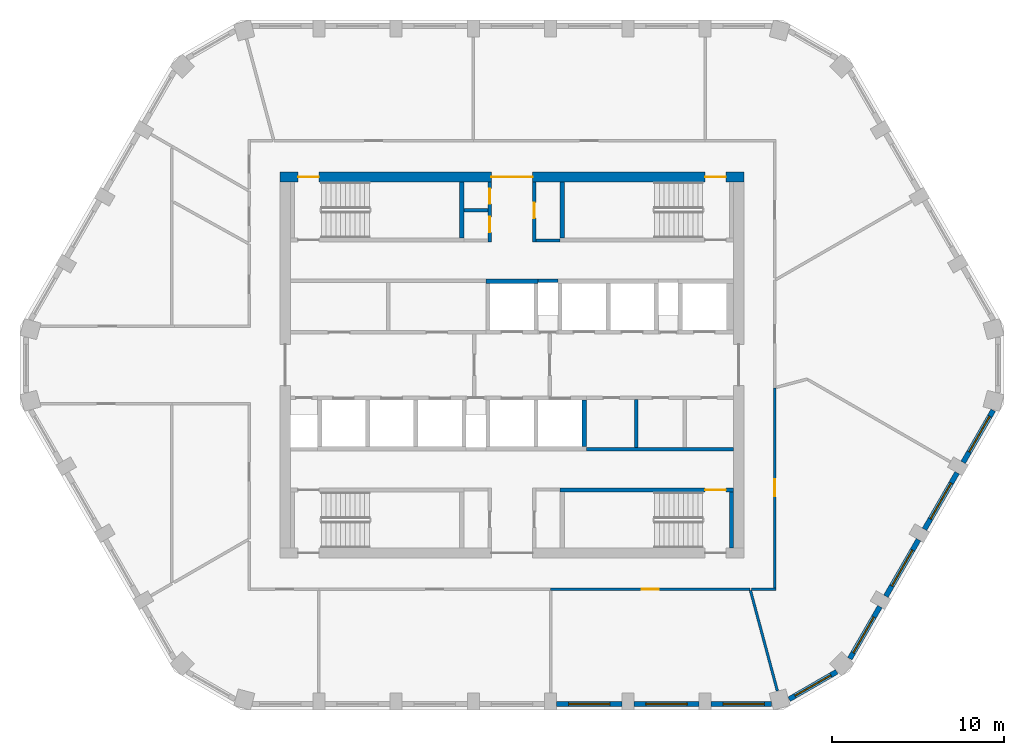
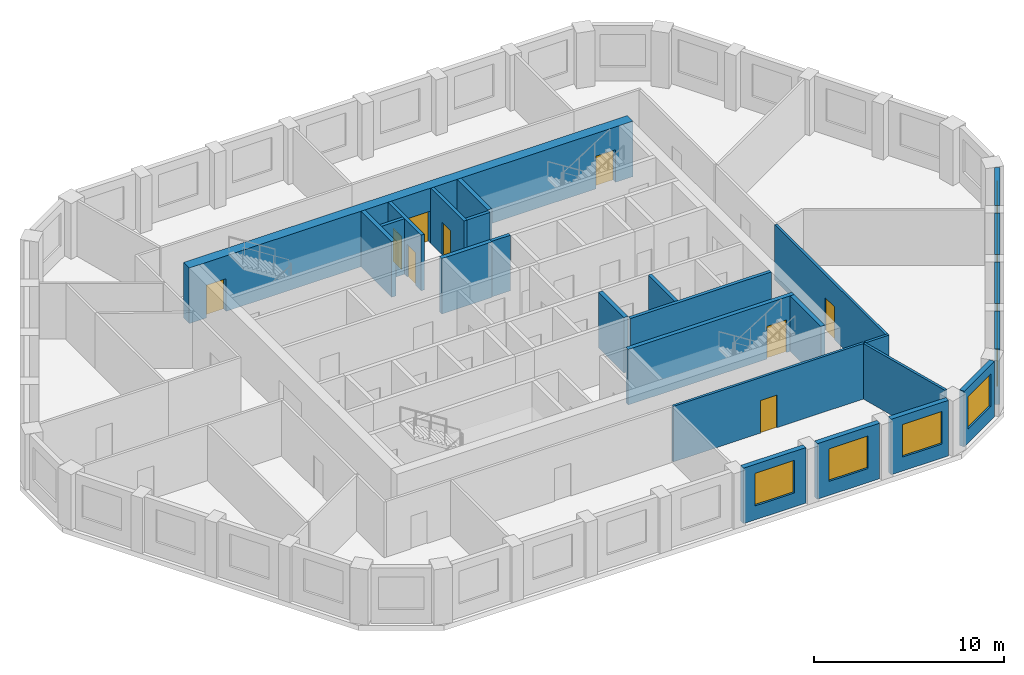
# One storey, part 4 of 7: 26 walls, 9 doors, 8 windows, 17 openings.
"""IFC4 building model written with IfcOpenShell, lengths in metres."""

from ifc_helpers import new_model, si_unit, direction, frame, frame_2d, origin, place, context, subcontext, project, spatial, polyline, rectangle, outline, extrude, material, layer, layer_set, type_object, element, fill, save


model = new_model("IFC4")

# Units and contexts
model_context = context("Model", 3, precision=1e-05, world=origin(), true_north=direction((0.0, 1.0)))
body_context = subcontext(model_context, "Body", "Model", "MODEL_VIEW")
ifc_project = project(units=[si_unit("LENGTHUNIT", "METRE"), si_unit("AREAUNIT", "SQUARE_METRE"), si_unit("VOLUMEUNIT", "CUBIC_METRE"), si_unit("PLANEANGLEUNIT", "RADIAN"), si_unit("MASSUNIT", "GRAM", prefix="KILO")], contexts=[model_context])

# Site, building, storey
site_placement = place(None, origin())
site = spatial("IfcSite", under=ifc_project, at=site_placement, CompositionType="ELEMENT")
building_placement = place(site_placement, origin())
building = spatial("IfcBuilding", under=site, at=building_placement, Name="Dhurran Vertical Campus", CompositionType="ELEMENT")
storey_placement = place(building_placement, frame((0.0, 0.0, 262.5)))
storey = spatial("IfcBuildingStorey", under=building, at=storey_placement, Name="L65", CompositionType="ELEMENT", Elevation=262.5)

# Wall, opening, window
ifc_material_1 = material(Name="Precast concrete C50/60", Category="concrete")
ifc_layer_1 = layer(ifc_material_1, 0.300048828125)
ifc_layer_set_1 = layer_set([ifc_layer_1], Name="Precast concrete C50/60")
wall_type_1 = type_object("IfcWallType", Name="Precast spandrel wall 300", PredefinedType="SOLIDWALL", material=ifc_layer_set_1)
wall_1_placement = place(storey_placement, frame((2.6005859375, -19.738525390625, 0.0), z_axis=(0.0, 0.0, 1.0), x_axis=(1.0, 0.0, 0.0)))
wall_1 = element("IfcWall", 1, at=wall_1_placement, inside=storey, type_object=wall_type_1, Name="EW1 L65.04", PredefinedType="SOLIDWALL", context=body_context, shape_type="SweptSolid", body=[
    extrude(rectangle(XDim=3.798828125, YDim=0.300048828125, at=frame_2d((1.8994140625, 0.0))), origin(), (0.0, 0.0, 1.0), 3.574951171875),
])
opening_1_placement = place(wall_1_placement, frame((0.699462890625, 0.0, 0.89990234375)))
opening_1 = element("IfcOpeningElement", 2, at=opening_1_placement, cuts=wall_1, Name="Opening WT1", PredefinedType="OPENING", context=body_context, shape_type="SweptSolid", body=[
    extrude(rectangle(XDim=2.39990234375, YDim=2.10009765625, at=frame_2d((1.199951171875, 1.050048828125))), frame((0.0, 0.159912109375, 0.0), z_axis=(0.0, -1.0, 0.0), x_axis=(1.0, 0.0, 0.0)), (0.0, 0.0, 1.0), 0.320068359375),
])
ifc_material_2 = material(Name="Aluminium frame with solar-control glass", Category="aluminium")
window_type = type_object("IfcWindowType", Name="Punched window 2400 x 2100", PartitioningType="SINGLE_PANEL", PredefinedType="WINDOW", material=ifc_material_2)
window_1_placement = place(opening_1_placement, origin())
window_1 = element("IfcWindow", 3, at=window_1_placement, inside=storey, type_object=window_type, Name="WT1 L65.04", OverallHeight=2.10009765625, OverallWidth=2.39990234375, PartitioningType="SINGLE_PANEL", PredefinedType="WINDOW", context=body_context, shape_type="SweptSolid", body=[
    extrude(rectangle(XDim=2.39990234375, YDim=2.10009765625, at=frame_2d((1.199951171875, 1.050048828125))), frame((0.0, 0.030029296875, 0.0), z_axis=(0.0, -1.0, 0.0), x_axis=(1.0, 0.0, 0.0)), (0.0, 0.0, 1.0), 0.06005859375),
])
fill(opening_1, window_1)

wall_2_placement = place(storey_placement, frame((7.1005859375, -19.738525390625, 0.0), z_axis=(0.0, 0.0, 1.0), x_axis=(1.0, 0.0, 0.0)))
wall_2 = element("IfcWall", 4, at=wall_2_placement, inside=storey, type_object=wall_type_1, Name="EW1 L65.05", PredefinedType="SOLIDWALL", context=body_context, shape_type="SweptSolid", body=[
    extrude(rectangle(XDim=3.798828125, YDim=0.300048828125, at=frame_2d((1.8994140625, 0.0))), origin(), (0.0, 0.0, 1.0), 3.574951171875),
])
opening_2_placement = place(wall_2_placement, frame((0.699462890625, 0.0, 0.89990234375)))
opening_2 = element("IfcOpeningElement", 5, at=opening_2_placement, cuts=wall_2, Name="Opening WT1", PredefinedType="OPENING", context=body_context, shape_type="SweptSolid", body=[
    extrude(rectangle(XDim=2.39990234375, YDim=2.10009765625, at=frame_2d((1.199951171875, 1.050048828125))), frame((0.0, 0.159912109375, 0.0), z_axis=(0.0, -1.0, 0.0), x_axis=(1.0, 0.0, 0.0)), (0.0, 0.0, 1.0), 0.320068359375),
])
window_2_placement = place(opening_2_placement, origin())
window_2 = element("IfcWindow", 6, at=window_2_placement, inside=storey, type_object=window_type, Name="WT1 L65.05", OverallHeight=2.10009765625, OverallWidth=2.39990234375, PartitioningType="SINGLE_PANEL", PredefinedType="WINDOW", context=body_context, shape_type="SweptSolid", body=[
    extrude(rectangle(XDim=2.39990234375, YDim=2.10009765625, at=frame_2d((1.199951171875, 1.050048828125))), frame((0.0, 0.030029296875, 0.0), z_axis=(0.0, -1.0, 0.0), x_axis=(1.0, 0.0, 0.0)), (0.0, 0.0, 1.0), 0.06005859375),
])
fill(opening_2, window_2)

wall_3_placement = place(storey_placement, frame((11.6005859375, -19.738525390625, 0.0), z_axis=(0.0, 0.0, 1.0), x_axis=(1.0, 0.0, 0.0)))
wall_3 = element("IfcWall", 7, at=wall_3_placement, inside=storey, type_object=wall_type_1, Name="EW1 L65.06", PredefinedType="SOLIDWALL", context=body_context, shape_type="SweptSolid", body=[
    extrude(rectangle(XDim=3.49755859375, YDim=0.300048828125, at=frame_2d((1.748779296875, 0.0))), origin(), (0.0, 0.0, 1.0), 3.574951171875),
])
opening_3_placement = place(wall_3_placement, frame((0.699462890625, 0.0, 0.89990234375)))
opening_3 = element("IfcOpeningElement", 8, at=opening_3_placement, cuts=wall_3, Name="Opening WT1", PredefinedType="OPENING", context=body_context, shape_type="SweptSolid", body=[
    extrude(rectangle(XDim=2.39990234375, YDim=2.10009765625, at=frame_2d((1.199951171875, 1.050048828125))), frame((0.0, 0.159912109375, 0.0), z_axis=(0.0, -1.0, 0.0), x_axis=(1.0, 0.0, 0.0)), (0.0, 0.0, 1.0), 0.320068359375),
])
window_3_placement = place(opening_3_placement, origin())
window_3 = element("IfcWindow", 9, at=window_3_placement, inside=storey, type_object=window_type, Name="WT1 L65.06", OverallHeight=2.10009765625, OverallWidth=2.39990234375, PartitioningType="SINGLE_PANEL", PredefinedType="WINDOW", context=body_context, shape_type="SweptSolid", body=[
    extrude(rectangle(XDim=2.39990234375, YDim=2.10009765625, at=frame_2d((1.199951171875, 1.050048828125))), frame((0.0, 0.030029296875, 0.0), z_axis=(0.0, -1.0, 0.0), x_axis=(1.0, 0.0, 0.0)), (0.0, 0.0, 1.0), 0.06005859375),
])
fill(opening_3, window_3)

wall_4_placement = place(storey_placement, frame((16.1396484375, -19.45947265625, 0.0), z_axis=(0.0, 0.0, 1.0), x_axis=(0.866025316205, 0.500000151692, 0.0)))
wall_4 = element("IfcWall", 10, at=wall_4_placement, inside=storey, type_object=wall_type_1, Name="EW1 L65.07", PredefinedType="SOLIDWALL", context=body_context, shape_type="SweptSolid", body=[
    extrude(rectangle(XDim=3.1962890625, YDim=0.300048828125, at=frame_2d((1.59814453125, 0.0))), origin(), (0.0, 0.0, 1.0), 3.574951171875),
])
opening_4_placement = place(wall_4_placement, frame((0.398193359375, 0.0, 0.89990234375)))
opening_4 = element("IfcOpeningElement", 11, at=opening_4_placement, cuts=wall_4, Name="Opening WT1", PredefinedType="OPENING", context=body_context, shape_type="SweptSolid", body=[
    extrude(rectangle(XDim=2.39990234375, YDim=2.10009765625, at=frame_2d((1.199951171875, 1.050048828125))), frame((0.0, 0.159912109375, 0.0), z_axis=(0.0, -1.0, 0.0), x_axis=(1.0, 0.0, 0.0)), (0.0, 0.0, 1.0), 0.320068359375),
])
window_4_placement = place(opening_4_placement, origin())
window_4 = element("IfcWindow", 12, at=window_4_placement, inside=storey, type_object=window_type, Name="WT1 L65.07", OverallHeight=2.10009765625, OverallWidth=2.39990234375, PartitioningType="SINGLE_PANEL", PredefinedType="WINDOW", context=body_context, shape_type="SweptSolid", body=[
    extrude(rectangle(XDim=2.39990234375, YDim=2.10009765625, at=frame_2d((1.199951171875, 1.050048828125))), frame((0.0, 0.030029296875, 0.0), z_axis=(0.0, -1.0, 0.0), x_axis=(1.0, 0.0, 0.0)), (0.0, 0.0, 1.0), 0.06005859375),
])
fill(opening_4, window_4)

wall_5_placement = place(storey_placement, frame((19.669921875, -17.09912109375, 0.0), z_axis=(0.0, 0.0, 1.0), x_axis=(0.499960102815, 0.866048437209, 0.0)))
wall_5 = element("IfcWall", 13, at=wall_5_placement, inside=storey, type_object=wall_type_1, Name="EW1 L65.08", PredefinedType="SOLIDWALL", context=body_context, shape_type="SweptSolid", body=[
    extrude(rectangle(XDim=3.497802734375, YDim=0.300048828125, at=frame_2d((1.7490234375, 0.0))), origin(), (0.0, 0.0, 1.0), 3.574951171875),
])
opening_5_placement = place(wall_5_placement, frame((0.398193359375, 0.0, 0.89990234375)))
opening_5 = element("IfcOpeningElement", 14, at=opening_5_placement, cuts=wall_5, Name="Opening WT1", PredefinedType="OPENING", context=body_context, shape_type="SweptSolid", body=[
    extrude(rectangle(XDim=2.39990234375, YDim=2.10009765625, at=frame_2d((1.199951171875, 1.050048828125))), frame((0.0, 0.159912109375, 0.0), z_axis=(0.0, -1.0, 0.0), x_axis=(1.0, 0.0, 0.0)), (0.0, 0.0, 1.0), 0.320068359375),
])
window_5_placement = place(opening_5_placement, origin())
window_5 = element("IfcWindow", 15, at=window_5_placement, inside=storey, type_object=window_type, Name="WT1 L65.08", OverallHeight=2.10009765625, OverallWidth=2.39990234375, PartitioningType="SINGLE_PANEL", PredefinedType="WINDOW", context=body_context, shape_type="SweptSolid", body=[
    extrude(rectangle(XDim=2.39990234375, YDim=2.10009765625, at=frame_2d((1.199951171875, 1.050048828125))), frame((0.0, 0.030029296875, 0.0), z_axis=(0.0, -1.0, 0.0), x_axis=(1.0, 0.0, 0.0)), (0.0, 0.0, 1.0), 0.06005859375),
])
fill(opening_5, window_5)

wall_6_placement = place(storey_placement, frame((21.769287109375, -13.462890625, 0.0), z_axis=(0.0, 0.0, 1.0), x_axis=(0.499982058975, 0.866035761792, 0.0)))
wall_6 = element("IfcWall", 16, at=wall_6_placement, inside=storey, type_object=wall_type_1, Name="EW1 L65.09", PredefinedType="SOLIDWALL", context=body_context, shape_type="SweptSolid", body=[
    extrude(rectangle(XDim=3.799072265625, YDim=0.300048828125, at=frame_2d((1.8994140625, 0.0))), origin(), (0.0, 0.0, 1.0), 3.574951171875),
])
opening_6_placement = place(wall_6_placement, frame((0.699462890625, 0.0, 0.89990234375)))
opening_6 = element("IfcOpeningElement", 17, at=opening_6_placement, cuts=wall_6, Name="Opening WT1", PredefinedType="OPENING", context=body_context, shape_type="SweptSolid", body=[
    extrude(rectangle(XDim=2.39990234375, YDim=2.10009765625, at=frame_2d((1.199951171875, 1.050048828125))), frame((0.0, 0.159912109375, 0.0), z_axis=(0.0, -1.0, 0.0), x_axis=(1.0, 0.0, 0.0)), (0.0, 0.0, 1.0), 0.320068359375),
])
window_6_placement = place(opening_6_placement, origin())
window_6 = element("IfcWindow", 18, at=window_6_placement, inside=storey, type_object=window_type, Name="WT1 L65.09", OverallHeight=2.10009765625, OverallWidth=2.39990234375, PartitioningType="SINGLE_PANEL", PredefinedType="WINDOW", context=body_context, shape_type="SweptSolid", body=[
    extrude(rectangle(XDim=2.39990234375, YDim=2.10009765625, at=frame_2d((1.199951171875, 1.050048828125))), frame((0.0, 0.030029296875, 0.0), z_axis=(0.0, -1.0, 0.0), x_axis=(1.0, 0.0, 0.0)), (0.0, 0.0, 1.0), 0.06005859375),
])
fill(opening_6, window_6)

wall_7_placement = place(storey_placement, frame((24.019287109375, -9.565673828125, 0.0), z_axis=(0.0, 0.0, 1.0), x_axis=(0.499982058975, 0.866035761792, 0.0)))
wall_7 = element("IfcWall", 19, at=wall_7_placement, inside=storey, type_object=wall_type_1, Name="EW1 L65.10", PredefinedType="SOLIDWALL", context=body_context, shape_type="SweptSolid", body=[
    extrude(rectangle(XDim=3.799072265625, YDim=0.300048828125, at=frame_2d((1.8994140625, 0.0))), origin(), (0.0, 0.0, 1.0), 3.574951171875),
])
opening_7_placement = place(wall_7_placement, frame((0.699462890625, 0.0, 0.89990234375)))
opening_7 = element("IfcOpeningElement", 20, at=opening_7_placement, cuts=wall_7, Name="Opening WT1", PredefinedType="OPENING", context=body_context, shape_type="SweptSolid", body=[
    extrude(rectangle(XDim=2.39990234375, YDim=2.10009765625, at=frame_2d((1.199951171875, 1.050048828125))), frame((0.0, 0.159912109375, 0.0), z_axis=(0.0, -1.0, 0.0), x_axis=(1.0, 0.0, 0.0)), (0.0, 0.0, 1.0), 0.320068359375),
])
window_7_placement = place(opening_7_placement, origin())
window_7 = element("IfcWindow", 21, at=window_7_placement, inside=storey, type_object=window_type, Name="WT1 L65.10", OverallHeight=2.10009765625, OverallWidth=2.39990234375, PartitioningType="SINGLE_PANEL", PredefinedType="WINDOW", context=body_context, shape_type="SweptSolid", body=[
    extrude(rectangle(XDim=2.39990234375, YDim=2.10009765625, at=frame_2d((1.199951171875, 1.050048828125))), frame((0.0, 0.030029296875, 0.0), z_axis=(0.0, -1.0, 0.0), x_axis=(1.0, 0.0, 0.0)), (0.0, 0.0, 1.0), 0.06005859375),
])
fill(opening_7, window_7)

wall_8_placement = place(storey_placement, frame((26.269287109375, -5.668701171875, 0.0), z_axis=(0.0, 0.0, 1.0), x_axis=(0.499990325971, 0.866030989016, 0.0)))
wall_8 = element("IfcWall", 22, at=wall_8_placement, inside=storey, type_object=wall_type_1, Name="EW1 L65.11", PredefinedType="SOLIDWALL", context=body_context, shape_type="SweptSolid", body=[
    extrude(rectangle(XDim=3.49755859375, YDim=0.300048828125, at=frame_2d((1.748779296875, 0.0))), origin(), (0.0, 0.0, 1.0), 3.574951171875),
])
opening_8_placement = place(wall_8_placement, frame((0.699462890625, 0.0, 0.89990234375)))
opening_8 = element("IfcOpeningElement", 23, at=opening_8_placement, cuts=wall_8, Name="Opening WT1", PredefinedType="OPENING", context=body_context, shape_type="SweptSolid", body=[
    extrude(rectangle(XDim=2.39990234375, YDim=2.10009765625, at=frame_2d((1.199951171875, 1.050048828125))), frame((0.0, 0.159912109375, 0.0), z_axis=(0.0, -1.0, 0.0), x_axis=(1.0, 0.0, 0.0)), (0.0, 0.0, 1.0), 0.320068359375),
])
window_8_placement = place(opening_8_placement, origin())
window_8 = element("IfcWindow", 24, at=window_8_placement, inside=storey, type_object=window_type, Name="WT1 L65.11", OverallHeight=2.10009765625, OverallWidth=2.39990234375, PartitioningType="SINGLE_PANEL", PredefinedType="WINDOW", context=body_context, shape_type="SweptSolid", body=[
    extrude(rectangle(XDim=2.39990234375, YDim=2.10009765625, at=frame_2d((1.199951171875, 1.050048828125))), frame((0.0, 0.030029296875, 0.0), z_axis=(0.0, -1.0, 0.0), x_axis=(1.0, 0.0, 0.0)), (0.0, 0.0, 1.0), 0.06005859375),
])
fill(opening_8, window_8)

# Wall, openings, doors
ifc_material_3 = material(Name="Concrete C50/60", Category="concrete")
ifc_layer_2 = layer(ifc_material_3, 0.60009765625)
ifc_layer_set_2 = layer_set([ifc_layer_2], Name="Concrete C50/60")
wall_type_2 = type_object("IfcWallType", Name="co-CORE-WALL-C2-600", PredefinedType="SHEAR", material=ifc_layer_set_2)
wall_9_placement = place(storey_placement, frame((-13.5, 10.949951171875, 0.0), z_axis=(0.0, 0.0, 1.0), x_axis=(1.0, 0.0, 0.0)))
wall_9 = element("IfcWall", 25, at=wall_9_placement, inside=storey, type_object=wall_type_2, Name="Core wall N L65", PredefinedType="SHEAR", context=body_context, shape_type="SweptSolid", body=[
    extrude(rectangle(XDim=27.0, YDim=0.60009765625, at=frame_2d((13.5, 0.0))), origin(), (0.0, 0.0, 1.0), 3.574951171875),
])
opening_9_placement = place(wall_9_placement, frame((12.300048828125, 0.0, 0.0)))
opening_9 = element("IfcOpeningElement", 26, at=opening_9_placement, cuts=wall_9, Name="Opening CV1", PredefinedType="OPENING", context=body_context, shape_type="SweptSolid", body=[
    extrude(rectangle(XDim=2.39990234375, YDim=2.10009765625, at=frame_2d((1.199951171875, 1.050048828125))), frame((0.0, 0.31005859375, 0.0), z_axis=(0.0, -1.0, 0.0), x_axis=(1.0, 0.0, 0.0)), (0.0, 0.0, 1.0), 0.6201171875),
])
opening_10_placement = place(wall_9_placement, frame((1.050048828125, 0.0, 0.0)))
opening_10 = element("IfcOpeningElement", 27, at=opening_10_placement, cuts=wall_9, Name="Opening XD1", PredefinedType="OPENING", context=body_context, shape_type="SweptSolid", body=[
    extrude(rectangle(XDim=1.199951171875, YDim=2.10009765625, at=frame_2d((0.60009765625, 1.050048828125))), frame((0.0, 0.31005859375, 0.0), z_axis=(0.0, -1.0, 0.0), x_axis=(1.0, 0.0, 0.0)), (0.0, 0.0, 1.0), 0.6201171875),
])
opening_11_placement = place(wall_9_placement, frame((24.75, 0.0, 0.0)))
opening_11 = element("IfcOpeningElement", 28, at=opening_11_placement, cuts=wall_9, Name="Opening XD2", PredefinedType="OPENING", context=body_context, shape_type="SweptSolid", body=[
    extrude(rectangle(XDim=1.199951171875, YDim=2.10009765625, at=frame_2d((0.60009765625, 1.050048828125))), frame((0.0, 0.31005859375, 0.0), z_axis=(0.0, -1.0, 0.0), x_axis=(1.0, 0.0, 0.0)), (0.0, 0.0, 1.0), 0.6201171875),
])
ifc_material_4 = material(Name="Fire-rated glazed door set")
door_type_1 = type_object("IfcDoorType", Name="co-D-LOBBY 2400x2100", OperationType="DOUBLE_DOOR_DOUBLE_SWING", PredefinedType="DOOR", material=ifc_material_4)
door_1_placement = place(opening_9_placement, origin())
door_1 = element("IfcDoor", 29, at=door_1_placement, inside=storey, type_object=door_type_1, Name="Core vestibule door N L65", OperationType="DOUBLE_DOOR_DOUBLE_SWING", OverallHeight=2.10009765625, OverallWidth=2.39990234375, PredefinedType="DOOR", context=body_context, shape_type="SweptSolid", body=[
    extrude(rectangle(XDim=2.39990234375, YDim=2.10009765625, at=frame_2d((1.199951171875, 1.050048828125))), frame((0.0, 0.02490234375, 0.0), z_axis=(0.0, -1.0, 0.0), x_axis=(1.0, 0.0, 0.0)), (0.0, 0.0, 1.0), 0.050048828125),
])
fill(opening_9, door_1)
ifc_material_5 = material(Name="Fire-rated steel door set", Category="steel")
door_type_2 = type_object("IfcDoorType", Name="co-D-STAIR-EXIT 1200x2100", OperationType="SINGLE_SWING_RIGHT", PredefinedType="DOOR", material=ifc_material_5)
door_2_placement = place(opening_10_placement, origin())
door_2 = element("IfcDoor", 30, at=door_2_placement, inside=storey, type_object=door_type_2, Name="Stair ST1 exit door L65", OperationType="SINGLE_SWING_RIGHT", OverallHeight=2.10009765625, OverallWidth=1.199951171875, PredefinedType="DOOR", context=body_context, shape_type="SweptSolid", body=[
    extrude(rectangle(XDim=1.199951171875, YDim=2.10009765625, at=frame_2d((0.60009765625, 1.050048828125))), frame((0.0, 0.02490234375, 0.0), z_axis=(0.0, -1.0, 0.0), x_axis=(1.0, 0.0, 0.0)), (0.0, 0.0, 1.0), 0.050048828125),
])
fill(opening_10, door_2)
door_3_placement = place(opening_11_placement, origin())
door_3 = element("IfcDoor", 31, at=door_3_placement, inside=storey, type_object=door_type_2, Name="Stair ST2 exit door L65", OperationType="SINGLE_SWING_RIGHT", OverallHeight=2.10009765625, OverallWidth=1.199951171875, PredefinedType="DOOR", context=body_context, shape_type="SweptSolid", body=[
    extrude(rectangle(XDim=1.199951171875, YDim=2.10009765625, at=frame_2d((0.60009765625, 1.050048828125))), frame((0.0, 0.02490234375, 0.0), z_axis=(0.0, -1.0, 0.0), x_axis=(1.0, 0.0, 0.0)), (0.0, 0.0, 1.0), 0.050048828125),
])
fill(opening_11, door_3)

# Walls
ifc_material_6 = material(Name="Fire-rated masonry blockwork", Category="masonry")
ifc_layer_3 = layer(ifc_material_6, 0.199951171875)
ifc_layer_set_3 = layer_set([ifc_layer_3], Name="Fire-rated masonry blockwork")
wall_type_3 = type_object("IfcWallType", Name="co-FIRE-PARTITION-200", PredefinedType="PARTITIONING", material=ifc_layer_set_3)
for number, where, z_axis, x_axis, name in (
    (32, (-2.800048828125, 9.0, 0.0), (0.0, 0.0, 1.0), (1.0, 0.0, 0.0), "Core partition sl-NW-cut0 L65"),
    (33, (1.39990234375, 7.25, 0.0), (0.0, 0.0, 1.0), (1.0, 0.0, 0.0), "Core partition sl-NE-S L65"),
):
    element("IfcWall", number, at=place(storey_placement, frame(where, z_axis=z_axis, x_axis=x_axis)), inside=storey, type_object=wall_type_3, Name=name, PredefinedType="PARTITIONING", context=body_context, shape_type="SweptSolid", body=[
        extrude(rectangle(XDim=1.400146484375, YDim=0.199951171875, at=frame_2d((0.7001953125, 0.0))), origin(), (0.0, 0.0, 1.0), 3.574951171875),
    ])

# Wall, openings, doors
wall_10_placement = place(storey_placement, frame((-1.300048828125, 7.14990234375, 0.0), z_axis=(0.0, 0.0, 1.0), x_axis=(0.0, 1.0, 0.0)))
wall_10 = element("IfcWall", 34, at=wall_10_placement, inside=storey, type_object=wall_type_3, Name="Core partition vest-NW L65", PredefinedType="PARTITIONING", context=body_context, shape_type="SweptSolid", body=[
    extrude(rectangle(XDim=3.5, YDim=0.199951171875, at=frame_2d((1.75, 0.0))), origin(), (0.0, 0.0, 1.0), 3.574951171875),
])
opening_12_placement = place(wall_10_placement, frame((0.574951171875, 0.0, 0.0)))
opening_12 = element("IfcOpeningElement", 35, at=opening_12_placement, cuts=wall_10, Name="Opening T19-C3", PredefinedType="OPENING", context=body_context, shape_type="SweptSolid", body=[
    extrude(rectangle(XDim=0.89990234375, YDim=2.10009765625, at=frame_2d((0.449951171875, 1.050048828125))), frame((0.0, 0.10986328125, 0.0), z_axis=(0.0, -1.0, 0.0), x_axis=(1.0, 0.0, 0.0)), (0.0, 0.0, 1.0), 0.219970703125),
])
opening_13_placement = place(wall_10_placement, frame((2.22509765625, 0.0, 0.0)))
opening_13 = element("IfcOpeningElement", 36, at=opening_13_placement, cuts=wall_10, Name="Opening T19-C4", PredefinedType="OPENING", context=body_context, shape_type="SweptSolid", body=[
    extrude(rectangle(XDim=0.89990234375, YDim=2.10009765625, at=frame_2d((0.449951171875, 1.050048828125))), frame((0.0, 0.10986328125, 0.0), z_axis=(0.0, -1.0, 0.0), x_axis=(1.0, 0.0, 0.0)), (0.0, 0.0, 1.0), 0.219970703125),
])
ifc_material_7 = material(Name="Fire-rated timber door set", Category="wood")
door_type_3 = type_object("IfcDoorType", Name="co-D-ROOM 900x2100", OperationType="SINGLE_SWING_LEFT", PredefinedType="DOOR", material=ifc_material_7)
door_4_placement = place(opening_12_placement, origin())
door_4 = element("IfcDoor", 37, at=door_4_placement, inside=storey, type_object=door_type_3, Name="Server room door L65", OperationType="SINGLE_SWING_LEFT", OverallHeight=2.10009765625, OverallWidth=0.89990234375, PredefinedType="DOOR", context=body_context, shape_type="SweptSolid", body=[
    extrude(rectangle(XDim=0.89990234375, YDim=2.10009765625, at=frame_2d((0.449951171875, 1.050048828125))), frame((0.0, 0.02490234375, 0.0), z_axis=(0.0, -1.0, 0.0), x_axis=(1.0, 0.0, 0.0)), (0.0, 0.0, 1.0), 0.050048828125),
])
fill(opening_12, door_4)
door_5_placement = place(opening_13_placement, origin())
door_5 = element("IfcDoor", 38, at=door_5_placement, inside=storey, type_object=door_type_3, Name="Fire equipment store door L65", OperationType="SINGLE_SWING_LEFT", OverallHeight=2.10009765625, OverallWidth=0.89990234375, PredefinedType="DOOR", context=body_context, shape_type="SweptSolid", body=[
    extrude(rectangle(XDim=0.89990234375, YDim=2.10009765625, at=frame_2d((0.449951171875, 1.050048828125))), frame((0.0, 0.02490234375, 0.0), z_axis=(0.0, -1.0, 0.0), x_axis=(1.0, 0.0, 0.0)), (0.0, 0.0, 1.0), 0.050048828125),
])
fill(opening_13, door_5)

# Wall, opening, door
wall_11_placement = place(storey_placement, frame((1.300048828125, 7.14990234375, 0.0), z_axis=(0.0, 0.0, 1.0), x_axis=(0.0, 1.0, 0.0)))
wall_11 = element("IfcWall", 39, at=wall_11_placement, inside=storey, type_object=wall_type_3, Name="Core partition vest-NE L65", PredefinedType="PARTITIONING", context=body_context, shape_type="SweptSolid", body=[
    extrude(rectangle(XDim=3.5, YDim=0.199951171875, at=frame_2d((1.75, 0.0))), origin(), (0.0, 0.0, 1.0), 3.574951171875),
])
opening_14_placement = place(wall_11_placement, frame((1.39990234375, 0.0, 0.0)))
opening_14 = element("IfcOpeningElement", 40, at=opening_14_placement, cuts=wall_11, Name="Opening T19-C5", PredefinedType="OPENING", context=body_context, shape_type="SweptSolid", body=[
    extrude(rectangle(XDim=0.89990234375, YDim=2.10009765625, at=frame_2d((0.449951171875, 1.050048828125))), frame((0.0, 0.10986328125, 0.0), z_axis=(0.0, -1.0, 0.0), x_axis=(1.0, 0.0, 0.0)), (0.0, 0.0, 1.0), 0.219970703125),
])
door_6_placement = place(opening_14_placement, origin())
door_6 = element("IfcDoor", 41, at=door_6_placement, inside=storey, type_object=door_type_3, Name="Pantry door L65", OperationType="SINGLE_SWING_LEFT", OverallHeight=2.10009765625, OverallWidth=0.89990234375, PredefinedType="DOOR", context=body_context, shape_type="SweptSolid", body=[
    extrude(rectangle(XDim=0.89990234375, YDim=2.10009765625, at=frame_2d((0.449951171875, 1.050048828125))), frame((0.0, 0.02490234375, 0.0), z_axis=(0.0, -1.0, 0.0), x_axis=(1.0, 0.0, 0.0)), (0.0, 0.0, 1.0), 0.050048828125),
])
fill(opening_14, door_6)

# Walls
wall_12_placement = place(storey_placement, frame((1.52490234375, 4.89990234375, 0.0), z_axis=(0.0, 0.0, 1.0), x_axis=(1.0, 0.0, 0.0)))
element("IfcWall", 42, at=wall_12_placement, inside=storey, type_object=wall_type_3, Name="Core partition fr-N1-b L65", PredefinedType="PARTITIONING", context=body_context, shape_type="SweptSolid", body=[
    extrude(rectangle(XDim=1.150146484375, YDim=0.199951171875, at=frame_2d((0.5751953125, 0.0))), origin(), (0.0, 0.0, 1.0), 3.574951171875),
])
wall_13_placement = place(storey_placement, frame((7.240478515625, -4.800048828125, 0.0), z_axis=(0.0, 0.0, 1.0), x_axis=(0.0, 1.0, 0.0)))
element("IfcWall", 43, at=wall_13_placement, inside=storey, type_object=wall_type_3, Name="Core partition fr-S2-cut0 L65", PredefinedType="PARTITIONING", context=body_context, shape_type="SweptSolid", body=[
    extrude(rectangle(XDim=2.800048828125, YDim=0.199951171875, at=frame_2d((1.39990234375, 0.0))), origin(), (0.0, 0.0, 1.0), 3.574951171875),
])
wall_14_placement = place(storey_placement, frame((4.324951171875, -4.89990234375, 0.0), z_axis=(0.0, 0.0, 1.0), x_axis=(1.0, 0.0, 0.0)))
element("IfcWall", 44, at=wall_14_placement, inside=storey, type_object=wall_type_3, Name="Core partition fr-S2-b L65", PredefinedType="PARTITIONING", context=body_context, shape_type="SweptSolid", body=[
    extrude(rectangle(XDim=8.574951171875, YDim=0.199951171875, at=frame_2d((4.28759765625, 0.0))), origin(), (0.0, 0.0, 1.0), 3.574951171875),
])
ifc_material_8 = material(Name="Concrete C50/60", Category="concrete")
ifc_layer_4 = layer(ifc_material_8, 0.25)
ifc_layer_set_4 = layer_set([ifc_layer_4], Name="Concrete C50/60")
wall_type_4 = type_object("IfcWallType", Name="co-SHAFT-MASS-250", PredefinedType="SHEAR", material=ifc_layer_set_4)
wall_15_placement = place(storey_placement, origin())
element("IfcWall", 45, at=wall_15_placement, inside=storey, type_object=wall_type_4, Name="Lift shaft wall N L65 1", PredefinedType="SHEAR", context=body_context, shape_type="SweptSolid", body=[
    extrude(outline(polyline([(-1.52490234375, 4.75), (1.52490234375, 4.75), (1.52490234375, 5.0), (-1.52490234375, 5.0), (-1.52490234375, 4.75)])), origin(), (0.0, 0.0, 1.0), 3.574951171875),
])
wall_16_placement = place(storey_placement, origin())
element("IfcWall", 46, at=wall_16_placement, inside=storey, type_object=wall_type_4, Name="Lift shaft wall S L65 9", PredefinedType="SHEAR", context=body_context, shape_type="SweptSolid", body=[
    extrude(outline(polyline([(4.074951171875, -4.75), (4.324951171875, -4.75), (4.324951171875, -2.050048828125), (4.074951171875, -2.050048828125), (4.074951171875, -4.75)])), origin(), (0.0, 0.0, 1.0), 3.574951171875),
])
ifc_material_9 = material(Name="Concrete C40/50", Category="concrete")
ifc_layer_5 = layer(ifc_material_9, 0.25)
ifc_layer_set_5 = layer_set([ifc_layer_5], Name="Concrete C40/50")
wall_type_5 = type_object("IfcWallType", Name="co-STAIR-WALL-250", PredefinedType="SHEAR", material=ifc_layer_set_5)
for number, where, z_axis, x_axis, name in (
    (47, (-2.925048828125, 7.39990234375, 0.0), (0.0, 0.0, 1.0), (0.0, 1.0, 0.0), "Stair ST1 enclosure wall L65"),
    (48, (2.925048828125, 7.39990234375, 0.0), (0.0, 0.0, 1.0), (0.0, 1.0, 0.0), "Stair ST2 enclosure wall L65"),
):
    element("IfcWall", number, at=place(storey_placement, frame(where, z_axis=z_axis, x_axis=x_axis)), inside=storey, type_object=wall_type_5, Name=name, PredefinedType="SHEAR", context=body_context, shape_type="SweptSolid", body=[
        extrude(rectangle(XDim=3.25, YDim=0.25, at=frame_2d((1.625, 0.0))), origin(), (0.0, 0.0, 1.0), 3.574951171875),
    ])

# Wall, opening, door
wall_17_placement = place(storey_placement, frame((2.800048828125, -7.27490234375, 0.0), z_axis=(0.0, 0.0, 1.0), x_axis=(1.0, 0.0, 0.0)))
wall_17 = element("IfcWall", 49, at=wall_17_placement, inside=storey, type_object=wall_type_5, Name="Stair ST4 enclosure wall L65", PredefinedType="SHEAR", context=body_context, shape_type="SweptSolid", body=[
    extrude(rectangle(XDim=10.099853515625, YDim=0.25, at=frame_2d((5.0498046875, 0.0))), origin(), (0.0, 0.0, 1.0), 3.574951171875),
])
opening_15_placement = place(wall_17_placement, frame((8.449951171875, 0.0, 0.0)))
opening_15 = element("IfcOpeningElement", 50, at=opening_15_placement, cuts=wall_17, Name="Opening SD4", PredefinedType="OPENING", context=body_context, shape_type="SweptSolid", body=[
    extrude(rectangle(XDim=1.199951171875, YDim=2.10009765625, at=frame_2d((0.60009765625, 1.050048828125))), frame((0.0, 0.135009765625, 0.0), z_axis=(0.0, -1.0, 0.0), x_axis=(1.0, 0.0, 0.0)), (0.0, 0.0, 1.0), 0.27001953125),
])
ifc_material_10 = material(Name="Fire-rated steel door set", Category="steel")
door_type_4 = type_object("IfcDoorType", Name="co-D-STAIR 1200x2100", OperationType="SINGLE_SWING_LEFT", PredefinedType="DOOR", material=ifc_material_10)
door_7_placement = place(opening_15_placement, origin())
door_7 = element("IfcDoor", 51, at=door_7_placement, inside=storey, type_object=door_type_4, Name="Stair ST4 door L65", OperationType="SINGLE_SWING_LEFT", OverallHeight=2.10009765625, OverallWidth=1.199951171875, PredefinedType="DOOR", context=body_context, shape_type="SweptSolid", body=[
    extrude(rectangle(XDim=1.199951171875, YDim=2.10009765625, at=frame_2d((0.60009765625, 1.050048828125))), frame((0.0, 0.02490234375, 0.0), z_axis=(0.0, -1.0, 0.0), x_axis=(1.0, 0.0, 0.0)), (0.0, 0.0, 1.0), 0.050048828125),
])
fill(opening_15, door_7)

# Wall
wall_18_placement = place(storey_placement, frame((12.77490234375, -10.64990234375, 0.0), z_axis=(0.0, 0.0, 1.0), x_axis=(0.0, 1.0, 0.0)))
element("IfcWall", 52, at=wall_18_placement, inside=storey, type_object=wall_type_5, Name="Stair ST4 enclosure wall L65", PredefinedType="SHEAR", context=body_context, shape_type="SweptSolid", body=[
    extrude(rectangle(XDim=3.25, YDim=0.25, at=frame_2d((1.625, 0.0))), origin(), (0.0, 0.0, 1.0), 3.574951171875),
])

# Wall, opening, door
ifc_material_11 = material(Name="Gypsum board corridor wall on steel studs", Category="steel")
ifc_layer_6 = layer(ifc_material_11, 0.14990234375)
ifc_layer_set_6 = layer_set([ifc_layer_6], Name="Gypsum board corridor wall on steel studs")
wall_type_6 = type_object("IfcWallType", Name="fl-CW-150 corridor wall", PredefinedType="PARTITIONING", material=ifc_layer_set_6)
wall_19_placement = place(storey_placement, frame((2.25, -13.050048828125, 0.0), z_axis=(0.0, 0.0, 1.0), x_axis=(1.0, 0.0, 0.0)))
wall_19 = element("IfcWall", 53, at=wall_19_placement, inside=storey, type_object=wall_type_6, Name="Partition 65-27", PredefinedType="PARTITIONING", context=body_context, shape_type="SweptSolid", body=[
    extrude(rectangle(XDim=11.614013671875, YDim=0.14990234375, at=frame_2d((5.80712890625, 0.0))), origin(), (0.0, 0.0, 1.0), 3.574951171875),
])
opening_16_placement = place(wall_19_placement, frame((5.306884765625, 0.0, 0.0)))
opening_16 = element("IfcOpeningElement", 54, at=opening_16_placement, cuts=wall_19, Name="Opening T19.11", PredefinedType="OPENING", context=body_context, shape_type="SweptSolid", body=[
    extrude(rectangle(XDim=1.0, YDim=2.10009765625, at=frame_2d((0.5, 1.050048828125))), frame((0.0, 0.0849609375, 0.0), z_axis=(0.0, -1.0, 0.0), x_axis=(1.0, 0.0, 0.0)), (0.0, 0.0, 1.0), 0.169921875),
])
ifc_material_12 = material(Name="Solid-core timber door set, fire-rated", Category="wood")
door_type_5 = type_object("IfcDoorType", Name="fl-D-1000x2100", OperationType="SINGLE_SWING_LEFT", PredefinedType="DOOR", material=ifc_material_12)
door_8_placement = place(opening_16_placement, origin())
door_8 = element("IfcDoor", 55, at=door_8_placement, inside=storey, type_object=door_type_5, Name="Door 65.11", OperationType="SINGLE_SWING_RIGHT", OverallHeight=2.10009765625, OverallWidth=1.0, PredefinedType="DOOR", context=body_context, shape_type="SweptSolid", body=[
    extrude(rectangle(XDim=1.0, YDim=2.10009765625, at=frame_2d((0.5, 1.050048828125))), frame((0.0, 0.02490234375, 0.0), z_axis=(0.0, -1.0, 0.0), x_axis=(1.0, 0.0, 0.0)), (0.0, 0.0, 1.0), 0.050048828125),
])
fill(opening_16, door_8)

# Wall
wall_20_placement = place(storey_placement, frame((13.958984375, -13.050048828125, 0.0), z_axis=(0.0, 0.0, 1.0), x_axis=(1.0, 0.0, 0.0)))
element("IfcWall", 56, at=wall_20_placement, inside=storey, type_object=wall_type_6, Name="Partition 65-30", PredefinedType="PARTITIONING", context=body_context, shape_type="SweptSolid", body=[
    extrude(rectangle(XDim=1.416015625, YDim=0.14990234375, at=frame_2d((0.7080078125, 0.0))), origin(), (0.0, 0.0, 1.0), 3.574951171875),
])

# Wall, opening, door
wall_21_placement = place(storey_placement, frame((15.300048828125, -12.97509765625, 0.0), z_axis=(0.0, 0.0, 1.0), x_axis=(0.0, 1.0, 0.0)))
wall_21 = element("IfcWall", 57, at=wall_21_placement, inside=storey, type_object=wall_type_6, Name="Partition 65-32", PredefinedType="PARTITIONING", context=body_context, shape_type="SweptSolid", body=[
    extrude(rectangle(XDim=11.649169921875, YDim=0.14990234375, at=frame_2d((5.82470703125, 0.0))), origin(), (0.0, 0.0, 1.0), 3.574951171875),
])
opening_17_placement = place(wall_21_placement, frame((5.324462890625, 0.0, 0.0)))
opening_17 = element("IfcOpeningElement", 58, at=opening_17_placement, cuts=wall_21, Name="Opening T19.13", PredefinedType="OPENING", context=body_context, shape_type="SweptSolid", body=[
    extrude(rectangle(XDim=1.0, YDim=2.10009765625, at=frame_2d((0.5, 1.050048828125))), frame((0.0, 0.0849609375, 0.0), z_axis=(0.0, -1.0, 0.0), x_axis=(1.0, 0.0, 0.0)), (0.0, 0.0, 1.0), 0.169921875),
])
door_9_placement = place(opening_17_placement, origin())
door_9 = element("IfcDoor", 59, at=door_9_placement, inside=storey, type_object=door_type_5, Name="Door 65.13", OperationType="SINGLE_SWING_LEFT", OverallHeight=2.10009765625, OverallWidth=1.0, PredefinedType="DOOR", context=body_context, shape_type="SweptSolid", body=[
    extrude(rectangle(XDim=1.0, YDim=2.10009765625, at=frame_2d((0.5, 1.050048828125))), frame((0.0, 0.02490234375, 0.0), z_axis=(0.0, -1.0, 0.0), x_axis=(1.0, 0.0, 0.0)), (0.0, 0.0, 1.0), 0.050048828125),
])
fill(opening_17, door_9)

# Wall
ifc_material_13 = material(Name="Gypsum board partition on steel studs", Category="steel")
ifc_layer_7 = layer(ifc_material_13, 0.14990234375)
ifc_layer_set_7 = layer_set([ifc_layer_7], Name="Gypsum board partition on steel studs")
wall_type_7 = type_object("IfcWallType", Name="fl-PW-150 fixed partition", PredefinedType="PARTITIONING", material=ifc_layer_set_7)
wall_22_placement = place(storey_placement, frame((13.88330078125, -13.122314453125, 0.0), z_axis=(0.0, 0.0, 1.0), x_axis=(0.258896568031, -0.965905050749, 0.0)))
element("IfcWall", 60, at=wall_22_placement, inside=storey, type_object=wall_type_7, Name="Partition 65-31", PredefinedType="PARTITIONING", context=body_context, shape_type="SweptSolid", body=[
    extrude(rectangle(XDim=6.057861328125, YDim=0.14990234375, at=frame_2d((3.02880859375, 0.0))), origin(), (0.0, 0.0, 1.0), 3.574951171875),
])

save(model, "model.ifc")
